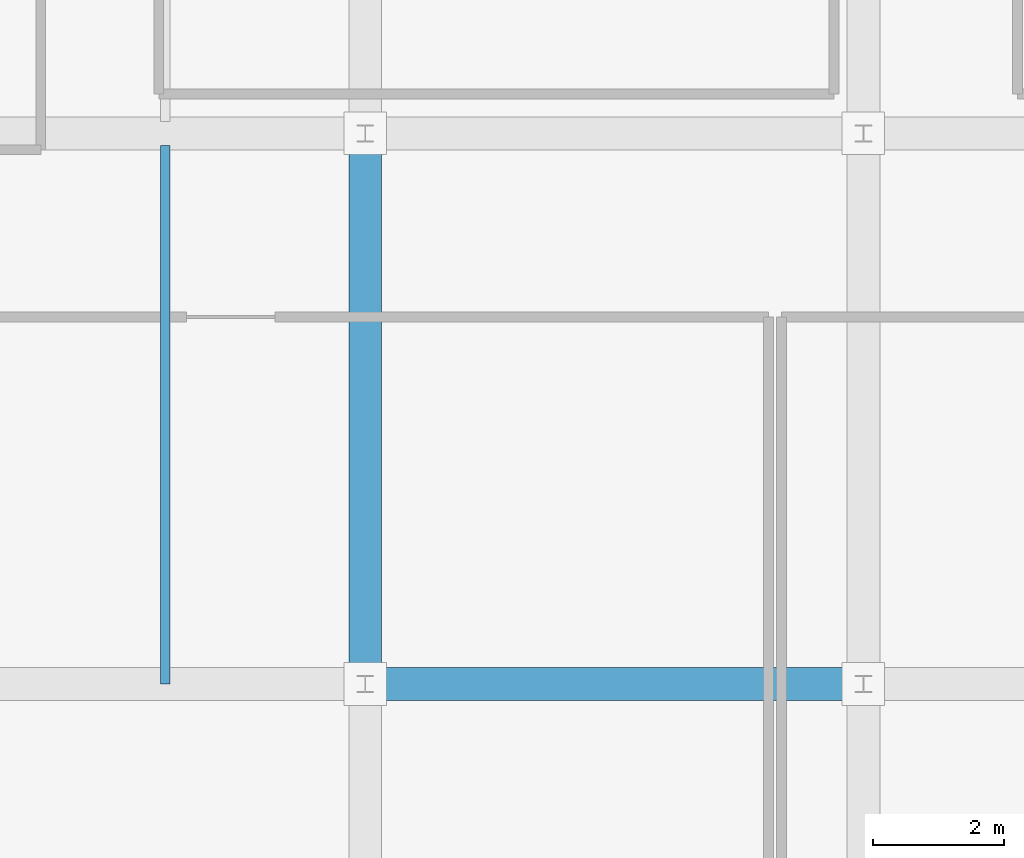
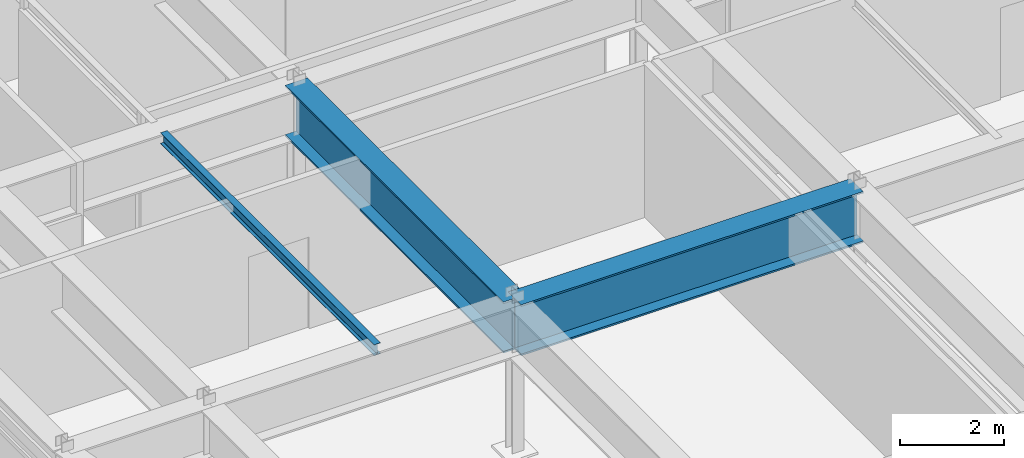
# One storey, part 9 of 35: 3 beams.
"""IFC4 building model written with IfcOpenShell, lengths in metres."""

from ifc_helpers import new_model, si_unit, direction, frame, origin, origin_2d, place, context, subcontext, project, spatial, i_section, extrude, source, transform, mapped, material, material_profile, profile_set, type_object, type_shapes, element, save


model = new_model("IFC4")

# Units and contexts
model_context = context("Model", 3, precision=1e-05, world=origin(), true_north=direction((0.0, 1.0)))
body_context = subcontext(model_context, "Body", "Model", "MODEL_VIEW")
ifc_project = project(units=[si_unit("LENGTHUNIT", "METRE"), si_unit("AREAUNIT", "SQUARE_METRE"), si_unit("VOLUMEUNIT", "CUBIC_METRE"), si_unit("PLANEANGLEUNIT", "RADIAN"), si_unit("MASSUNIT", "GRAM", prefix="KILO")], contexts=[model_context])

# Site, building, storey
site_placement = place(None, origin())
site = spatial("IfcSite", under=ifc_project, at=site_placement, CompositionType="ELEMENT")
building_placement = place(site_placement, origin())
building = spatial("IfcBuilding", under=site, at=building_placement, Name="Tolvann Quenvar Hotel", CompositionType="ELEMENT")
storey_placement = place(building_placement, frame((0.0, 0.0, 290.949951171875)))
storey = spatial("IfcBuildingStorey", under=building, at=storey_placement, Name="L77", CompositionType="ELEMENT", Elevation=290.949951171875)

# Beams
ifc_material = material(Name="Steel Grade 350", Category="steel")
ifc_material_profile_1 = material_profile(ifc_material, i_section(OverallWidth=0.5, OverallDepth=1.199951171875, WebThickness=0.01611328125, FlangeThickness=0.0400390625, at=origin_2d()), Name="1200WB455")
ifc_profile_set_1 = profile_set([ifc_material_profile_1], Name="Steel Grade 350")
beam_type_1 = type_object("IfcBeamType", Name="BM_TG_1200WB455", PredefinedType="USERDEFINED", material=ifc_profile_set_1)
shared_shape_1 = source(origin(), body_context, "Body", "SweptSolid", [
    extrude(i_section(OverallWidth=0.5, OverallDepth=1.199951171875, WebThickness=0.01611328125, FlangeThickness=0.0400390625, at=origin_2d()), origin(), (0.0, 0.0, 1.0), 8.39990234375),
])
beam_1_placement = place(storey_placement, frame((14.449951171875, 16.0, 2.97998046875), z_axis=(0.0, 1.0, 0.0), x_axis=(-1.0, 0.0, 0.0)))
element("IfcBeam", 1, at=beam_1_placement, inside=storey, type_object=beam_type_1, Name="BM-L77-NS-D4-D5", ObjectType="TRANSFER GIRDER", PredefinedType="USERDEFINED", context=body_context, shape_type="MappedRepresentation", body=[
    mapped(shared_shape_1, transform((0.0, 0.0, 0.0), x_axis=(1.0, 0.0, 0.0), y_axis=(0.0, 1.0, 0.0), z_axis=(0.0, 0.0, 1.0), scale=1.0)),
])
shared_shape_2 = source(origin(), body_context, "Body", "SweptSolid", [
    extrude(i_section(OverallWidth=0.5, OverallDepth=1.199951171875, WebThickness=0.01611328125, FlangeThickness=0.0400390625, at=origin_2d()), origin(), (0.0, 0.0, 1.0), 7.60009765625),
])
type_shapes(beam_type_1, [shared_shape_1, shared_shape_2])
beam_2_placement = place(storey_placement, frame((14.449951171875, 16.0, 2.97998046875), z_axis=(1.0, 0.0, 0.0), x_axis=(0.0, 1.0, 0.0)))
element("IfcBeam", 2, at=beam_2_placement, inside=storey, type_object=beam_type_1, Name="BM-L77-EW-4-D4-E4", ObjectType="TRANSFER GIRDER", PredefinedType="USERDEFINED", context=body_context, shape_type="MappedRepresentation", body=[
    mapped(shared_shape_2, transform((0.0, 0.0, 0.0), x_axis=(1.0, 0.0, 0.0), y_axis=(0.0, 1.0, 0.0), z_axis=(0.0, 0.0, 1.0), scale=1.0)),
])
ifc_material_profile_2 = material_profile(ifc_material, i_section(OverallWidth=0.14599609375, OverallDepth=0.256103515625, WebThickness=0.00634765625, FlangeThickness=0.010986328125, FilletRadius=0.0087890625, at=origin_2d()), Name="250UB37")
ifc_profile_set_2 = profile_set([ifc_material_profile_2], Name="Steel Grade 350")
beam_type_2 = type_object("IfcBeamType", Name="BM_JOIST_250UB37", PredefinedType="JOIST", material=ifc_profile_set_2)
shared_shape_3 = source(origin(), body_context, "Body", "SweptSolid", [
    extrude(i_section(OverallWidth=0.14599609375, OverallDepth=0.256103515625, WebThickness=0.00634765625, FlangeThickness=0.010986328125, FilletRadius=0.0087890625, at=origin_2d()), origin(), (0.0, 0.0, 1.0), 8.215087890625),
])
type_shapes(beam_type_2, [shared_shape_3])
beam_3_placement = place(storey_placement, frame((11.39990234375, 16.0, 3.4521484375), z_axis=(0.0, 1.0, 0.0), x_axis=(-1.0, 0.0, 0.0)))
element("IfcBeam", 3, at=beam_3_placement, inside=storey, type_object=beam_type_2, Name="BJ-L77-114-160", PredefinedType="JOIST", context=body_context, shape_type="MappedRepresentation", body=[
    mapped(shared_shape_3, transform((0.0, 0.0, 0.0), x_axis=(1.0, 0.0, 0.0), y_axis=(0.0, 1.0, 0.0), z_axis=(0.0, 0.0, 1.0), scale=1.0)),
])

save(model, "model.ifc")
